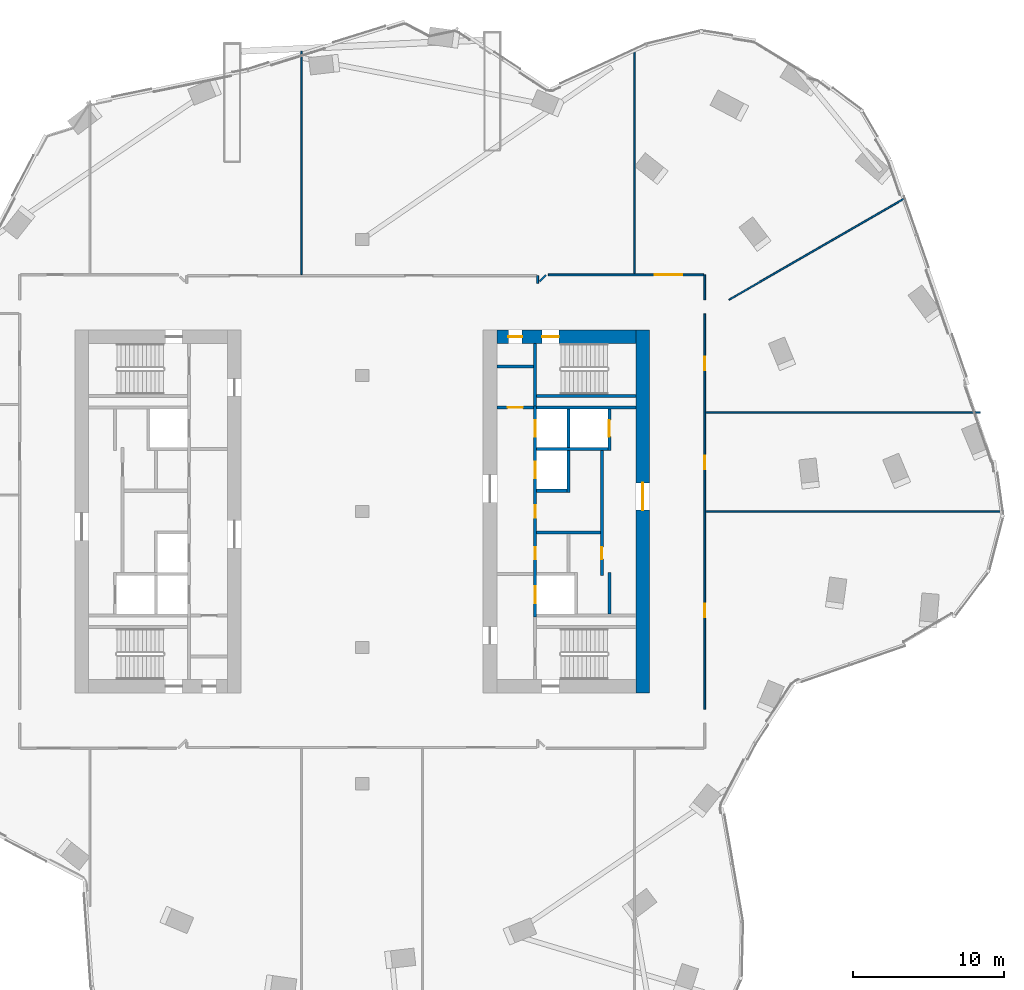
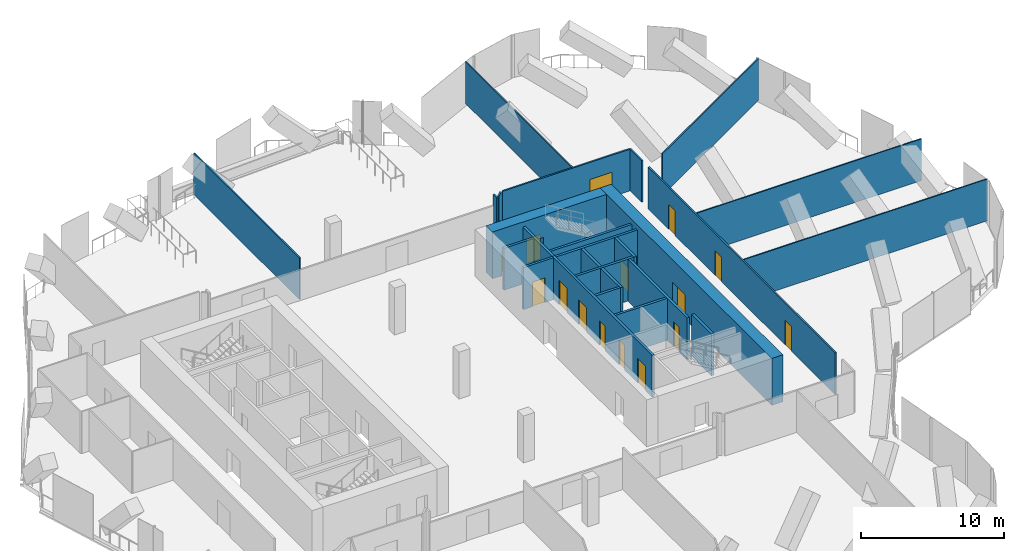
# One storey, part 20 of 26: 26 walls, 15 doors, 15 openings.
"""IFC4 building model written with IfcOpenShell, lengths in metres."""

from ifc_helpers import new_model, si_unit, direction, frame, frame_2d, origin, place, context, subcontext, project, spatial, rectangle, extrude, material, layer, layer_set, type_object, element, fill, save


model = new_model("IFC4")

# Units and contexts
model_context = context("Model", 3, precision=1e-05, world=origin(), true_north=direction((0.0, 1.0)))
body_context = subcontext(model_context, "Body", "Model", "MODEL_VIEW")
ifc_project = project(units=[si_unit("LENGTHUNIT", "METRE"), si_unit("AREAUNIT", "SQUARE_METRE"), si_unit("VOLUMEUNIT", "CUBIC_METRE"), si_unit("PLANEANGLEUNIT", "RADIAN"), si_unit("MASSUNIT", "GRAM", prefix="KILO")], contexts=[model_context])

# Site, building, storey
site_placement = place(None, origin())
site = spatial("IfcSite", under=ifc_project, at=site_placement, CompositionType="ELEMENT")
building_placement = place(site_placement, origin())
building = spatial("IfcBuilding", under=site, at=building_placement, Name="Orlundy Tower", CompositionType="ELEMENT")
storey_placement = place(building_placement, frame((0.0, 0.0, 249.5)))
storey = spatial("IfcBuildingStorey", under=building, at=storey_placement, Name="L66", CompositionType="ELEMENT", Elevation=249.5)

# Wall, openings, doors
ifc_material_1 = material(Name="Concrete C60/75", Category="concrete")
ifc_layer_1 = layer(ifc_material_1, 0.89990234375)
ifc_layer_set_1 = layer_set([ifc_layer_1], Name="CORE WALL 900 C60/75")
wall_type_1 = type_object("IfcWallType", Name="CORE WALL 900 C60/75", PredefinedType="SHEAR", material=ifc_layer_set_1)
wall_1_placement = place(storey_placement, frame((8.89990234375, 11.550048828125, 0.0), z_axis=(0.0, 0.0, 1.0), x_axis=(1.0, 0.0, 0.0)))
wall_1 = element("IfcWall", 1, at=wall_1_placement, inside=storey, type_object=wall_type_1, Name="Core wall E-N L66", PredefinedType="SHEAR", context=body_context, shape_type="SweptSolid", body=[
    extrude(rectangle(XDim=9.2001953125, YDim=0.89990234375, at=frame_2d((4.60009765625, 0.0))), origin(), (0.0, 0.0, 1.0), 4.0),
])
opening_1_placement = place(wall_1_placement, frame((3.0, 0.0, 0.0)))
opening_1 = element("IfcOpeningElement", 2, at=opening_1_placement, cuts=wall_1, Name="Opening 50061", PredefinedType="OPENING", context=body_context, shape_type="SweptSolid", body=[
    extrude(rectangle(XDim=1.10009765625, YDim=2.10009765625, at=frame_2d((0.550048828125, 1.050048828125))), frame((0.0, 0.4599609375, 0.0), z_axis=(0.0, -1.0, 0.0), x_axis=(1.0, 0.0, 0.0)), (0.0, 0.0, 1.0), 0.919921875),
])
opening_2_placement = place(wall_1_placement, frame((0.77001953125, 0.0, 0.0)))
opening_2 = element("IfcOpeningElement", 3, at=opening_2_placement, cuts=wall_1, Name="Opening 50063", PredefinedType="OPENING", context=body_context, shape_type="SweptSolid", body=[
    extrude(rectangle(XDim=0.89990234375, YDim=2.10009765625, at=frame_2d((0.449951171875, 1.050048828125))), frame((0.0, 0.4599609375, 0.0), z_axis=(0.0, -1.0, 0.0), x_axis=(1.0, 0.0, 0.0)), (0.0, 0.0, 1.0), 0.919921875),
])
ifc_material_2 = material(Name="Timber door set", Category="wood")
door_type_1 = type_object("IfcDoorType", Name="Room Door 900x2100", OperationType="SINGLE_SWING_LEFT", PredefinedType="DOOR", material=ifc_material_2)
door_1_placement = place(opening_2_placement, origin())
door_1 = element("IfcDoor", 4, at=door_1_placement, inside=storey, type_object=door_type_1, Name="Store door 50063", OperationType="SINGLE_SWING_LEFT", OverallHeight=2.10009765625, OverallWidth=0.89990234375, PredefinedType="DOOR", context=body_context, shape_type="SweptSolid", body=[
    extrude(rectangle(XDim=0.89990234375, YDim=2.10009765625, at=frame_2d((0.449951171875, 1.050048828125))), frame((0.0, 0.02490234375, 0.0), z_axis=(0.0, -1.0, 0.0), x_axis=(1.0, 0.0, 0.0)), (0.0, 0.0, 1.0), 0.050048828125),
])
fill(opening_2, door_1)
ifc_material_3 = material(Name="Steel door set", Category="steel")
door_type_2 = type_object("IfcDoorType", Name="Stair Door 1100x2100", OperationType="SINGLE_SWING_LEFT", PredefinedType="DOOR", material=ifc_material_3)
door_2_placement = place(opening_1_placement, origin())
door_2 = element("IfcDoor", 5, at=door_2_placement, inside=storey, type_object=door_type_2, Name="Stair door 50061", OperationType="SINGLE_SWING_LEFT", OverallHeight=2.10009765625, OverallWidth=1.10009765625, PredefinedType="DOOR", context=body_context, shape_type="SweptSolid", body=[
    extrude(rectangle(XDim=1.10009765625, YDim=2.10009765625, at=frame_2d((0.550048828125, 1.050048828125))), frame((0.0, 0.02490234375, 0.0), z_axis=(0.0, -1.0, 0.0), x_axis=(1.0, 0.0, 0.0)), (0.0, 0.0, 1.0), 0.050048828125),
])
fill(opening_1, door_2)

# Wall, opening, door
wall_2_placement = place(storey_placement, frame((18.550048828125, -12.0, 0.0), z_axis=(0.0, 0.0, 1.0), x_axis=(0.0, 1.0, 0.0)))
wall_2 = element("IfcWall", 6, at=wall_2_placement, inside=storey, type_object=wall_type_1, Name="Core wall E-E L66", PredefinedType="SHEAR", context=body_context, shape_type="SweptSolid", body=[
    extrude(rectangle(XDim=24.0, YDim=0.89990234375, at=frame_2d((12.0, 0.0))), origin(), (0.0, 0.0, 1.0), 4.0),
])
opening_3_placement = place(wall_2_placement, frame((12.10009765625, 0.0, 0.0)))
opening_3 = element("IfcOpeningElement", 7, at=opening_3_placement, cuts=wall_2, Name="Opening 50058", PredefinedType="OPENING", context=body_context, shape_type="SweptSolid", body=[
    extrude(rectangle(XDim=1.800048828125, YDim=2.10009765625, at=frame_2d((0.89990234375, 1.050048828125))), frame((0.0, 0.4599609375, 0.0), z_axis=(0.0, -1.0, 0.0), x_axis=(1.0, 0.0, 0.0)), (0.0, 0.0, 1.0), 0.919921875),
])
ifc_material_4 = material(Name="Timber door set", Category="wood")
door_type_3 = type_object("IfcDoorType", Name="Lobby Door 1800x2100", OperationType="DOUBLE_DOOR_DOUBLE_SWING", PredefinedType="DOOR", material=ifc_material_4)
door_3_placement = place(opening_3_placement, origin())
door_3 = element("IfcDoor", 8, at=door_3_placement, inside=storey, type_object=door_type_3, Name="Lift lobby door 50058", OperationType="SINGLE_SWING_RIGHT", OverallHeight=2.10009765625, OverallWidth=1.800048828125, PredefinedType="DOOR", context=body_context, shape_type="SweptSolid", body=[
    extrude(rectangle(XDim=1.800048828125, YDim=2.10009765625, at=frame_2d((0.89990234375, 1.050048828125))), frame((0.0, 0.02490234375, 0.0), z_axis=(0.0, -1.0, 0.0), x_axis=(1.0, 0.0, 0.0)), (0.0, 0.0, 1.0), 0.050048828125),
])
fill(opening_3, door_3)

# Walls
ifc_material_5 = material(Name="Gypsum board partition")
ifc_layer_2 = layer(ifc_material_5, 0.10009765625)
ifc_layer_set_2 = layer_set([ifc_layer_2], Name="Floor partition 100")
wall_type_2 = type_object("IfcWallType", Name="Floor partition 100", PredefinedType="PARTITIONING", material=ifc_layer_set_2)
wall_3_placement = place(storey_placement, frame((22.7119140625, 0.0, 0.0), z_axis=(0.0, 0.0, 1.0), x_axis=(1.0, 0.0, 0.0)))
element("IfcWall", 9, at=wall_3_placement, inside=storey, type_object=wall_type_2, Name="wall-int-L66-007", PredefinedType="PARTITIONING", context=body_context, shape_type="SweptSolid", body=[
    extrude(rectangle(XDim=19.712158203125, YDim=0.10009765625, at=frame_2d((9.85595703125, 0.0))), origin(), (0.0, 0.0, 1.0), 3.56005859375),
])
wall_4_placement = place(storey_placement, frame((22.7119140625, 6.5390625, 0.0), z_axis=(0.0, 0.0, 1.0), x_axis=(1.0, 0.0, 0.0)))
element("IfcWall", 10, at=wall_4_placement, inside=storey, type_object=wall_type_2, Name="wall-int-L66-009", PredefinedType="PARTITIONING", context=body_context, shape_type="SweptSolid", body=[
    extrude(rectangle(XDim=18.156005859375, YDim=0.10009765625, at=frame_2d((9.078125, 0.0))), origin(), (0.0, 0.0, 1.0), 3.56005859375),
])
wall_5_placement = place(storey_placement, frame((24.2490234375, 14.0, 0.0), z_axis=(0.0, 0.0, 1.0), x_axis=(0.86600685328, 0.50003212904, 0.0)))
element("IfcWall", 11, at=wall_5_placement, inside=storey, type_object=wall_type_2, Name="wall-int-L66-015", PredefinedType="PARTITIONING", context=body_context, shape_type="SweptSolid", body=[
    extrude(rectangle(XDim=13.4892578125, YDim=0.10009765625, at=frame_2d((6.74462890625, 0.0))), origin(), (0.0, 0.0, 1.0), 3.56005859375),
])
wall_6_placement = place(storey_placement, frame((18.0, 15.712890625, 0.0), z_axis=(0.0, 0.0, 1.0), x_axis=(0.0, 1.0, 0.0)))
element("IfcWall", 12, at=wall_6_placement, inside=storey, type_object=wall_type_2, Name="wall-int-L66-023", PredefinedType="PARTITIONING", context=body_context, shape_type="SweptSolid", body=[
    extrude(rectangle(XDim=14.93017578125, YDim=0.10009765625, at=frame_2d((7.465087890625, 0.0))), origin(), (0.0, 0.0, 1.0), 3.56005859375),
])
wall_7_placement = place(storey_placement, frame((-4.0, 15.6640625, 0.0), z_axis=(0.0, 0.0, 1.0), x_axis=(0.0, 1.0, 0.0)))
element("IfcWall", 13, at=wall_7_placement, inside=storey, type_object=wall_type_2, Name="wall-int-L66-028", PredefinedType="PARTITIONING", context=body_context, shape_type="SweptSolid", body=[
    extrude(rectangle(XDim=14.77587890625, YDim=0.10009765625, at=frame_2d((7.387939453125, 0.0))), origin(), (0.0, 0.0, 1.0), 3.56005859375),
])

# Wall, opening, door
ifc_material_6 = material(Name="Gypsum board partition, double layer")
ifc_layer_3 = layer(ifc_material_6, 0.125)
ifc_layer_set_3 = layer_set([ifc_layer_3], Name="Floor partition 125")
wall_type_3 = type_object("IfcWallType", Name="Floor partition 125", PredefinedType="PARTITIONING", material=ifc_layer_set_3)
wall_8_placement = place(storey_placement, frame((12.31103515625, 15.65087890625, 0.0), z_axis=(0.0, 0.0, 1.0), x_axis=(1.0, 0.0, 0.0)))
wall_8 = element("IfcWall", 14, at=wall_8_placement, inside=storey, type_object=wall_type_3, Name="wall-int-L66-014", PredefinedType="PARTITIONING", context=body_context, shape_type="SweptSolid", body=[
    extrude(rectangle(XDim=10.27587890625, YDim=0.125, at=frame_2d((5.137939453125, 0.0))), origin(), (0.0, 0.0, 1.0), 3.56005859375),
])
opening_4_placement = place(wall_8_placement, frame((7.0390625, 0.0, 0.0)))
opening_4 = element("IfcOpeningElement", 15, at=opening_4_placement, cuts=wall_8, Name="Opening 50109", PredefinedType="OPENING", context=body_context, shape_type="SweptSolid", body=[
    extrude(rectangle(XDim=1.800048828125, YDim=2.10009765625, at=frame_2d((0.89990234375, 1.050048828125))), frame((0.0, 0.072509765625, 0.0), z_axis=(0.0, -1.0, 0.0), x_axis=(1.0, 0.0, 0.0)), (0.0, 0.0, 1.0), 0.14501953125),
])
ifc_material_7 = material(Name="Timber door leaf", Category="wood")
door_type_4 = type_object("IfcDoorType", Name="Floor door double 1800 FD30S", OperationType="NOTDEFINED", PredefinedType="DOOR", material=ifc_material_7)
door_4_placement = place(opening_4_placement, origin())
door_4 = element("IfcDoor", 16, at=door_4_placement, inside=storey, type_object=door_type_4, Name="Door 50109", OperationType="DOUBLE_DOOR_SINGLE_SWING", OverallHeight=2.10009765625, OverallWidth=1.800048828125, PredefinedType="DOOR", context=body_context, shape_type="SweptSolid", body=[
    extrude(rectangle(XDim=1.800048828125, YDim=2.10009765625, at=frame_2d((0.89990234375, 1.050048828125))), frame((0.0, 0.02490234375, 0.0), z_axis=(0.0, -1.0, 0.0), x_axis=(1.0, 0.0, 0.0)), (0.0, 0.0, 1.0), 0.050048828125),
])
fill(opening_4, door_4)

# Wall
wall_9_placement = place(storey_placement, frame((11.72998046875, 15.20703125, 0.0), z_axis=(0.0, 0.0, 1.0), x_axis=(0.707310822952, 0.706902680526, 0.0)))
element("IfcWall", 17, at=wall_9_placement, inside=storey, type_object=wall_type_3, Name="wall-int-L66-017", PredefinedType="PARTITIONING", context=body_context, shape_type="SweptSolid", body=[
    extrude(rectangle(XDim=0.59814453125, YDim=0.125, at=frame_2d((0.299072265625, 0.0))), origin(), (0.0, 0.0, 1.0), 3.56005859375),
])

# Wall, openings, doors
wall_10_placement = place(storey_placement, frame((22.64990234375, 13.076904296875, 0.0), z_axis=(0.0, 0.0, 1.0), x_axis=(0.0, -1.0, 0.0)))
wall_10 = element("IfcWall", 18, at=wall_10_placement, inside=storey, type_object=wall_type_3, Name="wall-int-L66-020", PredefinedType="PARTITIONING", context=body_context, shape_type="SweptSolid", body=[
    extrude(rectangle(XDim=26.15380859375, YDim=0.125, at=frame_2d((13.076904296875, 0.0))), origin(), (0.0, 0.0, 1.0), 3.56005859375),
])
opening_5_placement = place(wall_10_placement, frame((19.177001953125, 0.0, 0.0)))
opening_5 = element("IfcOpeningElement", 19, at=opening_5_placement, cuts=wall_10, Name="Opening 50106", PredefinedType="OPENING", context=body_context, shape_type="SweptSolid", body=[
    extrude(rectangle(XDim=0.89990234375, YDim=2.10009765625, at=frame_2d((0.449951171875, 1.050048828125))), frame((0.0, 0.072509765625, 0.0), z_axis=(0.0, -1.0, 0.0), x_axis=(1.0, 0.0, 0.0)), (0.0, 0.0, 1.0), 0.14501953125),
])
opening_6_placement = place(wall_10_placement, frame((9.387939453125, 0.0, 0.0)))
opening_6 = element("IfcOpeningElement", 20, at=opening_6_placement, cuts=wall_10, Name="Opening 50107", PredefinedType="OPENING", context=body_context, shape_type="SweptSolid", body=[
    extrude(rectangle(XDim=0.89990234375, YDim=2.10009765625, at=frame_2d((0.449951171875, 1.050048828125))), frame((0.0, 0.072509765625, 0.0), z_axis=(0.0, -1.0, 0.0), x_axis=(1.0, 0.0, 0.0)), (0.0, 0.0, 1.0), 0.14501953125),
])
opening_7_placement = place(wall_10_placement, frame((2.85009765625, 0.0, 0.0)))
opening_7 = element("IfcOpeningElement", 21, at=opening_7_placement, cuts=wall_10, Name="Opening 50108", PredefinedType="OPENING", context=body_context, shape_type="SweptSolid", body=[
    extrude(rectangle(XDim=0.89990234375, YDim=2.10009765625, at=frame_2d((0.449951171875, 1.050048828125))), frame((0.0, 0.072509765625, 0.0), z_axis=(0.0, -1.0, 0.0), x_axis=(1.0, 0.0, 0.0)), (0.0, 0.0, 1.0), 0.14501953125),
])
ifc_material_8 = material(Name="Timber door leaf", Category="wood")
door_type_5 = type_object("IfcDoorType", Name="Floor door single 900 FD30S", OperationType="NOTDEFINED", PredefinedType="DOOR", material=ifc_material_8)
door_5_placement = place(opening_5_placement, origin())
door_5 = element("IfcDoor", 22, at=door_5_placement, inside=storey, type_object=door_type_5, Name="Door 50106", OperationType="SINGLE_SWING_RIGHT", OverallHeight=2.10009765625, OverallWidth=0.89990234375, PredefinedType="DOOR", context=body_context, shape_type="SweptSolid", body=[
    extrude(rectangle(XDim=0.89990234375, YDim=2.10009765625, at=frame_2d((0.449951171875, 1.050048828125))), frame((0.0, 0.02490234375, 0.0), z_axis=(0.0, -1.0, 0.0), x_axis=(1.0, 0.0, 0.0)), (0.0, 0.0, 1.0), 0.050048828125),
])
fill(opening_5, door_5)
door_6_placement = place(opening_6_placement, origin())
door_6 = element("IfcDoor", 23, at=door_6_placement, inside=storey, type_object=door_type_5, Name="Door 50107", OperationType="SINGLE_SWING_LEFT", OverallHeight=2.10009765625, OverallWidth=0.89990234375, PredefinedType="DOOR", context=body_context, shape_type="SweptSolid", body=[
    extrude(rectangle(XDim=0.89990234375, YDim=2.10009765625, at=frame_2d((0.449951171875, 1.050048828125))), frame((0.0, 0.02490234375, 0.0), z_axis=(0.0, -1.0, 0.0), x_axis=(1.0, 0.0, 0.0)), (0.0, 0.0, 1.0), 0.050048828125),
])
fill(opening_6, door_6)
door_7_placement = place(opening_7_placement, origin())
door_7 = element("IfcDoor", 24, at=door_7_placement, inside=storey, type_object=door_type_5, Name="Door 50108", OperationType="SINGLE_SWING_LEFT", OverallHeight=2.10009765625, OverallWidth=0.89990234375, PredefinedType="DOOR", context=body_context, shape_type="SweptSolid", body=[
    extrude(rectangle(XDim=0.89990234375, YDim=2.10009765625, at=frame_2d((0.449951171875, 1.050048828125))), frame((0.0, 0.02490234375, 0.0), z_axis=(0.0, -1.0, 0.0), x_axis=(1.0, 0.0, 0.0)), (0.0, 0.0, 1.0), 0.050048828125),
])
fill(opening_7, door_7)

# Walls
wall_11_placement = place(storey_placement, frame((22.64990234375, 14.0, 0.0), z_axis=(0.0, 0.0, 1.0), x_axis=(0.0, 1.0, 0.0)))
element("IfcWall", 25, at=wall_11_placement, inside=storey, type_object=wall_type_3, Name="wall-int-L66-021", PredefinedType="PARTITIONING", context=body_context, shape_type="SweptSolid", body=[
    extrude(rectangle(XDim=1.65087890625, YDim=0.125, at=frame_2d((0.825439453125, 0.0))), origin(), (0.0, 0.0, 1.0), 3.56005859375),
])
wall_12_placement = place(storey_placement, frame((11.60107421875, 15.092041015625, 0.0), z_axis=(0.0, 0.0, 1.0), x_axis=(0.0, 1.0, 0.0)))
element("IfcWall", 26, at=wall_12_placement, inside=storey, type_object=wall_type_3, Name="wall-int-L66-025", PredefinedType="PARTITIONING", context=body_context, shape_type="SweptSolid", body=[
    extrude(rectangle(XDim=0.508056640625, YDim=0.125, at=frame_2d((0.25390625, 0.0))), origin(), (0.0, 0.0, 1.0), 3.56005859375),
])
ifc_material_9 = material(Name="Concrete C40/50", Category="concrete")
ifc_layer_4 = layer(ifc_material_9, 0.199951171875)
ifc_layer_set_4 = layer_set([ifc_layer_4], Name="Load-bearing Shaft Wall 200")
wall_type_4 = type_object("IfcWallType", Name="Load-bearing Shaft Wall 200", PredefinedType="SOLIDWALL", material=ifc_layer_set_4)
wall_13_placement = place(storey_placement, frame((11.43994140625, 11.10009765625, 0.0), z_axis=(0.0, 0.0, 1.0), x_axis=(0.0, -1.0, 0.0)))
element("IfcWall", 27, at=wall_13_placement, inside=storey, type_object=wall_type_4, Name="Shaft wall E50-stair-end-s", PredefinedType="SOLIDWALL", context=body_context, shape_type="SweptSolid", body=[
    extrude(rectangle(XDim=4.125, YDim=0.199951171875, at=frame_2d((2.0625, 0.0))), origin(), (0.0, 0.0, 1.0), 3.580078125),
])
wall_14_placement = place(storey_placement, frame((11.5400390625, 7.64990234375, 0.0), z_axis=(0.0, 0.0, 1.0), x_axis=(1.0, 0.0, 0.0)))
element("IfcWall", 28, at=wall_14_placement, inside=storey, type_object=wall_type_4, Name="Shaft wall E50-stair-side-s", PredefinedType="SOLIDWALL", context=body_context, shape_type="SweptSolid", body=[
    extrude(rectangle(XDim=6.56005859375, YDim=0.199951171875, at=frame_2d((3.280029296875, 0.0))), origin(), (0.0, 0.0, 1.0), 3.580078125),
])

# Wall, opening, door
ifc_material_10 = material(Name="Gypsum board partition on steel studs", Category="steel")
ifc_layer_5 = layer(ifc_material_10, 0.199951171875)
ifc_layer_set_5 = layer_set([ifc_layer_5], Name="Partition 200")
wall_type_5 = type_object("IfcWallType", Name="Partition 200", PredefinedType="PARTITIONING", material=ifc_layer_set_5)
wall_15_placement = place(storey_placement, frame((8.89990234375, 6.875, 0.0), z_axis=(0.0, 0.0, 1.0), x_axis=(1.0, 0.0, 0.0)))
wall_15 = element("IfcWall", 29, at=wall_15_placement, inside=storey, type_object=wall_type_5, Name="Partition wall E50-end-s", PredefinedType="PARTITIONING", context=body_context, shape_type="SweptSolid", body=[
    extrude(rectangle(XDim=2.440185546875, YDim=0.199951171875, at=frame_2d((1.22021484375, 0.0))), origin(), (0.0, 0.0, 1.0), 3.580078125),
])
opening_8_placement = place(wall_15_placement, frame((0.719970703125, 0.0, 0.0)))
opening_8 = element("IfcOpeningElement", 30, at=opening_8_placement, cuts=wall_15, Name="Opening 50064", PredefinedType="OPENING", context=body_context, shape_type="SweptSolid", body=[
    extrude(rectangle(XDim=1.0, YDim=2.10009765625, at=frame_2d((0.5, 1.050048828125))), frame((0.0, 0.110107421875, 0.0), z_axis=(0.0, -1.0, 0.0), x_axis=(1.0, 0.0, 0.0)), (0.0, 0.0, 1.0), 0.22021484375),
])
ifc_material_11 = material(Name="Timber door set", Category="wood")
door_type_6 = type_object("IfcDoorType", Name="Accessible Door 1000x2100", OperationType="SINGLE_SWING_LEFT", PredefinedType="DOOR", material=ifc_material_11)
door_8_placement = place(opening_8_placement, origin())
door_8 = element("IfcDoor", 31, at=door_8_placement, inside=storey, type_object=door_type_6, Name="Accessible WC door 50064", OperationType="SINGLE_SWING_RIGHT", OverallHeight=2.10009765625, OverallWidth=1.0, PredefinedType="DOOR", context=body_context, shape_type="SweptSolid", body=[
    extrude(rectangle(XDim=1.0, YDim=2.10009765625, at=frame_2d((0.5, 1.050048828125))), frame((0.0, 0.02490234375, 0.0), z_axis=(0.0, -1.0, 0.0), x_axis=(1.0, 0.0, 0.0)), (0.0, 0.0, 1.0), 0.050048828125),
])
fill(opening_8, door_8)

# Walls
wall_16_placement = place(storey_placement, frame((8.89990234375, 9.60009765625, 0.0), z_axis=(0.0, 0.0, 1.0), x_axis=(1.0, 0.0, 0.0)))
element("IfcWall", 32, at=wall_16_placement, inside=storey, type_object=wall_type_5, Name="Partition wall E50-room-s0", PredefinedType="PARTITIONING", context=body_context, shape_type="SweptSolid", body=[
    extrude(rectangle(XDim=2.440185546875, YDim=0.199951171875, at=frame_2d((1.22021484375, 0.0))), origin(), (0.0, 0.0, 1.0), 3.580078125),
])
ifc_material_12 = material(Name="Fire-rated blockwork shaft wall", Category="masonry")
ifc_layer_6 = layer(ifc_material_12, 0.199951171875)
ifc_layer_set_6 = layer_set([ifc_layer_6], Name="Shaft Wall 200")
wall_type_6 = type_object("IfcWallType", Name="Shaft Wall 200", PredefinedType="SOLIDWALL", material=ifc_layer_set_6)
wall_17_placement = place(storey_placement, frame((11.5400390625, 6.875, 0.0), z_axis=(0.0, 0.0, 1.0), x_axis=(1.0, 0.0, 0.0)))
element("IfcWall", 33, at=wall_17_placement, inside=storey, type_object=wall_type_6, Name="Shaft wall E50-zone-s", PredefinedType="SOLIDWALL", context=body_context, shape_type="SweptSolid", body=[
    extrude(rectangle(XDim=6.56005859375, YDim=0.199951171875, at=frame_2d((3.280029296875, 0.0))), origin(), (0.0, 0.0, 1.0), 3.580078125),
])
wall_18_placement = place(storey_placement, frame((11.5400390625, 4.125, 0.0), z_axis=(0.0, 0.0, 1.0), x_axis=(1.0, 0.0, 0.0)))
element("IfcWall", 34, at=wall_18_placement, inside=storey, type_object=wall_type_6, Name="Shaft wall E50-cross-4.125", PredefinedType="SOLIDWALL", context=body_context, shape_type="SweptSolid", body=[
    extrude(rectangle(XDim=4.699951171875, YDim=0.199951171875, at=frame_2d((2.35009765625, 0.0))), origin(), (0.0, 0.0, 1.0), 3.580078125),
])
wall_19_placement = place(storey_placement, frame((11.5400390625, 1.375, 0.0), z_axis=(0.0, 0.0, 1.0), x_axis=(1.0, 0.0, 0.0)))
element("IfcWall", 35, at=wall_19_placement, inside=storey, type_object=wall_type_6, Name="Shaft wall E50-cross-1.375", PredefinedType="SOLIDWALL", context=body_context, shape_type="SweptSolid", body=[
    extrude(rectangle(XDim=2.0, YDim=0.199951171875, at=frame_2d((1.0, 0.0))), origin(), (0.0, 0.0, 1.0), 3.580078125),
])
wall_20_placement = place(storey_placement, frame((11.5400390625, -1.375, 0.0), z_axis=(0.0, 0.0, 1.0), x_axis=(1.0, 0.0, 0.0)))
element("IfcWall", 36, at=wall_20_placement, inside=storey, type_object=wall_type_6, Name="Shaft wall E50-cross+1.375", PredefinedType="SOLIDWALL", context=body_context, shape_type="SweptSolid", body=[
    extrude(rectangle(XDim=4.199951171875, YDim=0.199951171875, at=frame_2d((2.10009765625, 0.0))), origin(), (0.0, 0.0, 1.0), 3.580078125),
])

# Wall, openings, doors
wall_21_placement = place(storey_placement, frame((11.43994140625, 6.97509765625, 0.0), z_axis=(0.0, 0.0, 1.0), x_axis=(0.0, -1.0, 0.0)))
wall_21 = element("IfcWall", 37, at=wall_21_placement, inside=storey, type_object=wall_type_6, Name="Shaft wall E50-front-h", PredefinedType="SOLIDWALL", context=body_context, shape_type="SweptSolid", body=[
    extrude(rectangle(XDim=13.9501953125, YDim=0.199951171875, at=frame_2d((6.97509765625, 0.0))), origin(), (0.0, 0.0, 1.0), 3.580078125),
])
opening_9_placement = place(wall_21_placement, frame((0.925048828125, 0.0, 0.0)))
opening_9 = element("IfcOpeningElement", 38, at=opening_9_placement, cuts=wall_21, Name="Opening 50050", PredefinedType="OPENING", context=body_context, shape_type="SweptSolid", body=[
    extrude(rectangle(XDim=1.10009765625, YDim=2.10009765625, at=frame_2d((0.550048828125, 1.050048828125))), frame((0.0, 0.110107421875, 0.0), z_axis=(0.0, -1.0, 0.0), x_axis=(1.0, 0.0, 0.0)), (0.0, 0.0, 1.0), 0.22021484375),
])
opening_10_placement = place(wall_21_placement, frame((3.675048828125, 0.0, 0.0)))
opening_10 = element("IfcOpeningElement", 39, at=opening_10_placement, cuts=wall_21, Name="Opening 50052", PredefinedType="OPENING", context=body_context, shape_type="SweptSolid", body=[
    extrude(rectangle(XDim=1.10009765625, YDim=2.10009765625, at=frame_2d((0.550048828125, 1.050048828125))), frame((0.0, 0.110107421875, 0.0), z_axis=(0.0, -1.0, 0.0), x_axis=(1.0, 0.0, 0.0)), (0.0, 0.0, 1.0), 0.22021484375),
])
opening_11_placement = place(wall_21_placement, frame((11.925048828125, 0.0, 0.0)))
opening_11 = element("IfcOpeningElement", 40, at=opening_11_placement, cuts=wall_21, Name="Opening 50053", PredefinedType="OPENING", context=body_context, shape_type="SweptSolid", body=[
    extrude(rectangle(XDim=1.10009765625, YDim=2.10009765625, at=frame_2d((0.550048828125, 1.050048828125))), frame((0.0, 0.110107421875, 0.0), z_axis=(0.0, -1.0, 0.0), x_axis=(1.0, 0.0, 0.0)), (0.0, 0.0, 1.0), 0.22021484375),
])
opening_12_placement = place(wall_21_placement, frame((6.574951171875, 0.0, 0.0)))
opening_12 = element("IfcOpeningElement", 41, at=opening_12_placement, cuts=wall_21, Name="Opening 50054", PredefinedType="OPENING", context=body_context, shape_type="SweptSolid", body=[
    extrude(rectangle(XDim=0.800048828125, YDim=2.10009765625, at=frame_2d((0.39990234375, 1.050048828125))), frame((0.0, 0.110107421875, 0.0), z_axis=(0.0, -1.0, 0.0), x_axis=(1.0, 0.0, 0.0)), (0.0, 0.0, 1.0), 0.22021484375),
])
opening_13_placement = place(wall_21_placement, frame((9.324951171875, 0.0, 0.0)))
opening_13 = element("IfcOpeningElement", 42, at=opening_13_placement, cuts=wall_21, Name="Opening 50055", PredefinedType="OPENING", context=body_context, shape_type="SweptSolid", body=[
    extrude(rectangle(XDim=0.800048828125, YDim=2.10009765625, at=frame_2d((0.39990234375, 1.050048828125))), frame((0.0, 0.110107421875, 0.0), z_axis=(0.0, -1.0, 0.0), x_axis=(1.0, 0.0, 0.0)), (0.0, 0.0, 1.0), 0.22021484375),
])
ifc_material_13 = material(Name="Steel door set", Category="steel")
door_type_7 = type_object("IfcDoorType", Name="Landing Door 1100x2100", OperationType="DOUBLE_DOOR_SLIDING", PredefinedType="DOOR", material=ifc_material_13)
door_9_placement = place(opening_9_placement, origin())
door_9 = element("IfcDoor", 43, at=door_9_placement, inside=storey, type_object=door_type_7, Name="Lift landing door LP-24 50050", OperationType="DOUBLE_DOOR_SLIDING", OverallHeight=2.10009765625, OverallWidth=1.10009765625, PredefinedType="DOOR", context=body_context, shape_type="SweptSolid", body=[
    extrude(rectangle(XDim=1.10009765625, YDim=2.10009765625, at=frame_2d((0.550048828125, 1.050048828125))), frame((0.0, 0.02490234375, 0.0), z_axis=(0.0, -1.0, 0.0), x_axis=(1.0, 0.0, 0.0)), (0.0, 0.0, 1.0), 0.050048828125),
])
fill(opening_9, door_9)
door_10_placement = place(opening_10_placement, origin())
door_10 = element("IfcDoor", 44, at=door_10_placement, inside=storey, type_object=door_type_7, Name="Lift landing door LP-23 50052", OperationType="DOUBLE_DOOR_SLIDING", OverallHeight=2.10009765625, OverallWidth=1.10009765625, PredefinedType="DOOR", context=body_context, shape_type="SweptSolid", body=[
    extrude(rectangle(XDim=1.10009765625, YDim=2.10009765625, at=frame_2d((0.550048828125, 1.050048828125))), frame((0.0, 0.02490234375, 0.0), z_axis=(0.0, -1.0, 0.0), x_axis=(1.0, 0.0, 0.0)), (0.0, 0.0, 1.0), 0.050048828125),
])
fill(opening_10, door_10)
door_11_placement = place(opening_11_placement, origin())
door_11 = element("IfcDoor", 45, at=door_11_placement, inside=storey, type_object=door_type_7, Name="Lift landing door FL2 50053", OperationType="DOUBLE_DOOR_SLIDING", OverallHeight=2.10009765625, OverallWidth=1.10009765625, PredefinedType="DOOR", context=body_context, shape_type="SweptSolid", body=[
    extrude(rectangle(XDim=1.10009765625, YDim=2.10009765625, at=frame_2d((0.550048828125, 1.050048828125))), frame((0.0, 0.02490234375, 0.0), z_axis=(0.0, -1.0, 0.0), x_axis=(1.0, 0.0, 0.0)), (0.0, 0.0, 1.0), 0.050048828125),
])
fill(opening_11, door_11)
ifc_material_14 = material(Name="Timber door set", Category="wood")
door_type_8 = type_object("IfcDoorType", Name="Riser Door 800x2100", OperationType="SINGLE_SWING_LEFT", PredefinedType="DOOR", material=ifc_material_14)
door_12_placement = place(opening_12_placement, origin())
door_12 = element("IfcDoor", 46, at=door_12_placement, inside=storey, type_object=door_type_8, Name="Refuse Room door 50054", OperationType="SINGLE_SWING_RIGHT", OverallHeight=2.10009765625, OverallWidth=0.800048828125, PredefinedType="DOOR", context=body_context, shape_type="SweptSolid", body=[
    extrude(rectangle(XDim=0.800048828125, YDim=2.10009765625, at=frame_2d((0.39990234375, 1.050048828125))), frame((0.0, 0.02490234375, 0.0), z_axis=(0.0, -1.0, 0.0), x_axis=(1.0, 0.0, 0.0)), (0.0, 0.0, 1.0), 0.050048828125),
])
fill(opening_12, door_12)
door_13_placement = place(opening_13_placement, origin())
door_13 = element("IfcDoor", 47, at=door_13_placement, inside=storey, type_object=door_type_8, Name="Cleaner's Store door 50055", OperationType="SINGLE_SWING_LEFT", OverallHeight=2.10009765625, OverallWidth=0.800048828125, PredefinedType="DOOR", context=body_context, shape_type="SweptSolid", body=[
    extrude(rectangle(XDim=0.800048828125, YDim=2.10009765625, at=frame_2d((0.39990234375, 1.050048828125))), frame((0.0, 0.02490234375, 0.0), z_axis=(0.0, -1.0, 0.0), x_axis=(1.0, 0.0, 0.0)), (0.0, 0.0, 1.0), 0.050048828125),
])
fill(opening_13, door_13)

# Walls
wall_22_placement = place(storey_placement, frame((13.639892578125, 6.77490234375, 0.0), z_axis=(0.0, 0.0, 1.0), x_axis=(0.0, -1.0, 0.0)))
element("IfcWall", 48, at=wall_22_placement, inside=storey, type_object=wall_type_6, Name="Shaft wall E50-mid-a", PredefinedType="SOLIDWALL", context=body_context, shape_type="SweptSolid", body=[
    extrude(rectangle(XDim=2.5498046875, YDim=0.199951171875, at=frame_2d((1.27490234375, 0.0))), origin(), (0.0, 0.0, 1.0), 3.580078125),
])
wall_23_placement = place(storey_placement, frame((13.639892578125, 4.02490234375, 0.0), z_axis=(0.0, 0.0, 1.0), x_axis=(0.0, -1.0, 0.0)))
element("IfcWall", 49, at=wall_23_placement, inside=storey, type_object=wall_type_6, Name="Shaft wall E50-mid-a.1", PredefinedType="SOLIDWALL", context=body_context, shape_type="SweptSolid", body=[
    extrude(rectangle(XDim=2.75, YDim=0.199951171875, at=frame_2d((1.375, 0.0))), origin(), (0.0, 0.0, 1.0), 3.580078125),
])

# Wall, opening, door
wall_24_placement = place(storey_placement, frame((16.340087890625, 6.77490234375, 0.0), z_axis=(0.0, 0.0, 1.0), x_axis=(0.0, -1.0, 0.0)))
wall_24 = element("IfcWall", 50, at=wall_24_placement, inside=storey, type_object=wall_type_6, Name="Shaft wall E50-front-o-a", PredefinedType="SOLIDWALL", context=body_context, shape_type="SweptSolid", body=[
    extrude(rectangle(XDim=2.75, YDim=0.199951171875, at=frame_2d((1.375, 0.0))), origin(), (0.0, 0.0, 1.0), 3.580078125),
])
opening_14_placement = place(wall_24_placement, frame((0.72509765625, 0.0, 0.0)))
opening_14 = element("IfcOpeningElement", 51, at=opening_14_placement, cuts=wall_24, Name="Opening 50051", PredefinedType="OPENING", context=body_context, shape_type="SweptSolid", body=[
    extrude(rectangle(XDim=1.10009765625, YDim=2.10009765625, at=frame_2d((0.550048828125, 1.050048828125))), frame((0.0, 0.110107421875, 0.0), z_axis=(0.0, -1.0, 0.0), x_axis=(1.0, 0.0, 0.0)), (0.0, 0.0, 1.0), 0.22021484375),
])
door_14_placement = place(opening_14_placement, origin())
door_14 = element("IfcDoor", 52, at=door_14_placement, inside=storey, type_object=door_type_7, Name="Lift landing door LV-02 50051", OperationType="DOUBLE_DOOR_SLIDING", OverallHeight=2.10009765625, OverallWidth=1.10009765625, PredefinedType="DOOR", context=body_context, shape_type="SweptSolid", body=[
    extrude(rectangle(XDim=1.10009765625, YDim=2.10009765625, at=frame_2d((0.550048828125, 1.050048828125))), frame((0.0, 0.02490234375, 0.0), z_axis=(0.0, -1.0, 0.0), x_axis=(1.0, 0.0, 0.0)), (0.0, 0.0, 1.0), 0.050048828125),
])
fill(opening_14, door_14)

wall_25_placement = place(storey_placement, frame((15.840087890625, 4.02490234375, 0.0), z_axis=(0.0, 0.0, 1.0), x_axis=(0.0, -1.0, 0.0)))
wall_25 = element("IfcWall", 53, at=wall_25_placement, inside=storey, type_object=wall_type_6, Name="Shaft wall E50-front-o-b", PredefinedType="SOLIDWALL", context=body_context, shape_type="SweptSolid", body=[
    extrude(rectangle(XDim=8.25, YDim=0.199951171875, at=frame_2d((4.125, 0.0))), origin(), (0.0, 0.0, 1.0), 3.580078125),
])
opening_15_placement = place(wall_25_placement, frame((6.375, 0.0, 0.0)))
opening_15 = element("IfcOpeningElement", 54, at=opening_15_placement, cuts=wall_25, Name="Opening 50056", PredefinedType="OPENING", context=body_context, shape_type="SweptSolid", body=[
    extrude(rectangle(XDim=0.800048828125, YDim=2.10009765625, at=frame_2d((0.39990234375, 1.050048828125))), frame((0.0, 0.110107421875, 0.0), z_axis=(0.0, -1.0, 0.0), x_axis=(1.0, 0.0, 0.0)), (0.0, 0.0, 1.0), 0.22021484375),
])
door_15_placement = place(opening_15_placement, origin())
door_15 = element("IfcDoor", 55, at=door_15_placement, inside=storey, type_object=door_type_8, Name="Janitor Store door 50056", OperationType="SINGLE_SWING_LEFT", OverallHeight=2.10009765625, OverallWidth=0.800048828125, PredefinedType="DOOR", context=body_context, shape_type="SweptSolid", body=[
    extrude(rectangle(XDim=0.800048828125, YDim=2.10009765625, at=frame_2d((0.39990234375, 1.050048828125))), frame((0.0, 0.02490234375, 0.0), z_axis=(0.0, -1.0, 0.0), x_axis=(1.0, 0.0, 0.0)), (0.0, 0.0, 1.0), 0.050048828125),
])
fill(opening_15, door_15)

# Wall
wall_26_placement = place(storey_placement, frame((16.340087890625, -4.02490234375, 0.0), z_axis=(0.0, 0.0, 1.0), x_axis=(0.0, -1.0, 0.0)))
element("IfcWall", 56, at=wall_26_placement, inside=storey, type_object=wall_type_6, Name="Shaft wall E50-front-o-c", PredefinedType="SOLIDWALL", context=body_context, shape_type="SweptSolid", body=[
    extrude(rectangle(XDim=2.75, YDim=0.199951171875, at=frame_2d((1.375, 0.0))), origin(), (0.0, 0.0, 1.0), 3.580078125),
])

save(model, "model.ifc")
